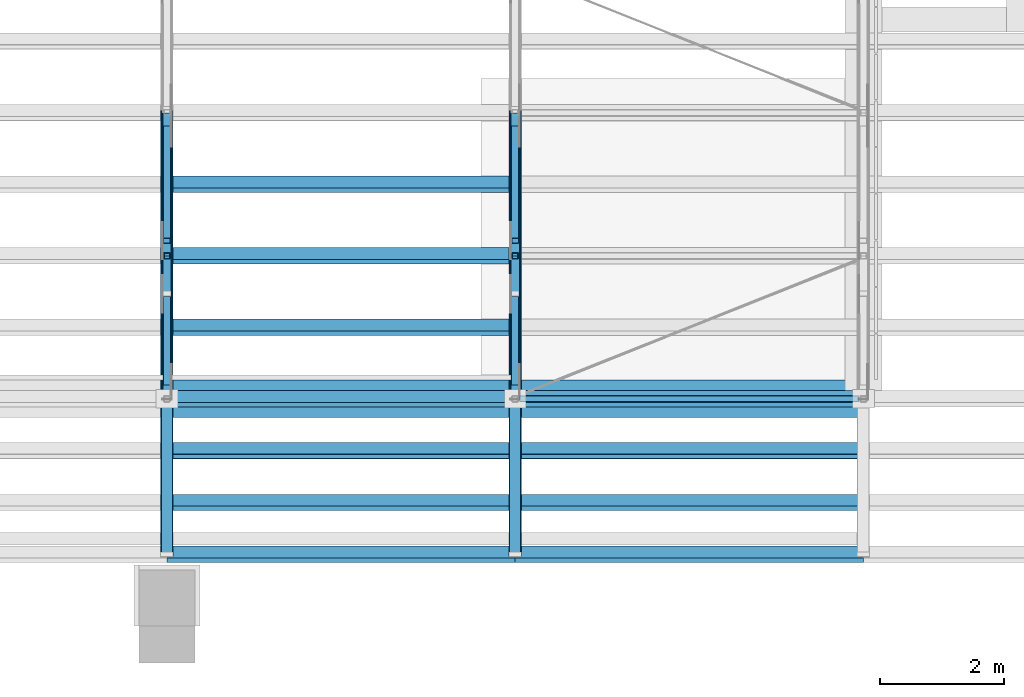
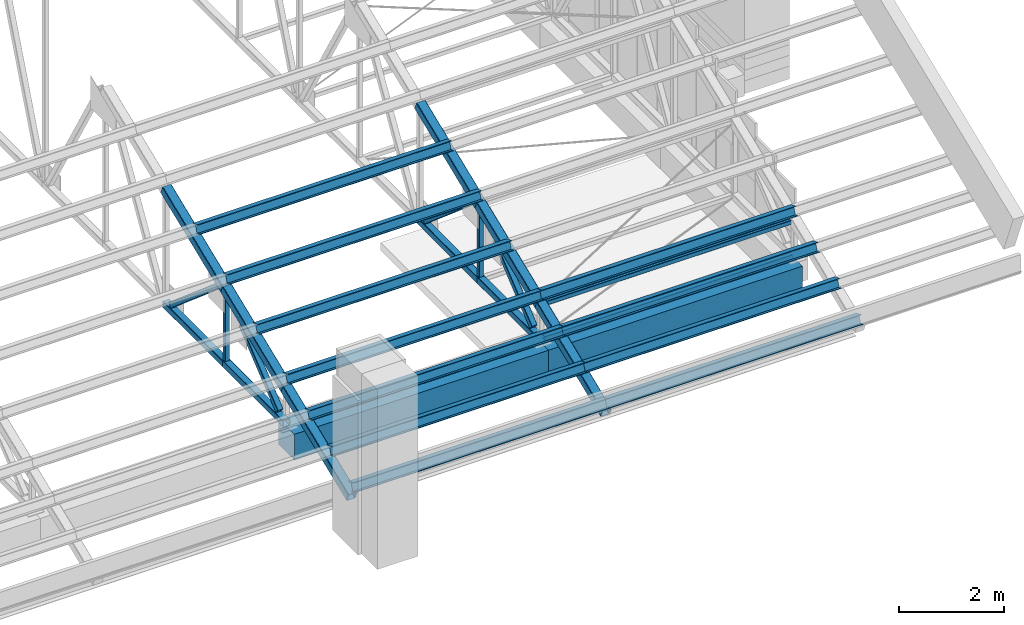
# One storey, part 21 of 71: 29 members, 2 beams.
"""IFC4 building model written with IfcOpenShell, lengths in metres."""

from ifc_helpers import new_model, si_unit, direction, frame, origin, origin_2d, place, context, subcontext, project, spatial, rectangle, hollow_rectangle, i_section, extrude, material, material_profile, profile_set, type_object, element, save


model = new_model("IFC4")

# Units and contexts
model_context = context("Model", 3, precision=1e-05, world=origin(), true_north=direction((0.0, 1.0)))
body_context = subcontext(model_context, "Body", "Model", "MODEL_VIEW")
ifc_project = project(units=[si_unit("LENGTHUNIT", "METRE"), si_unit("AREAUNIT", "SQUARE_METRE"), si_unit("VOLUMEUNIT", "CUBIC_METRE"), si_unit("PLANEANGLEUNIT", "RADIAN"), si_unit("MASSUNIT", "GRAM", prefix="KILO")], contexts=[model_context])

# Site, building, storey
site_placement = place(None, origin())
site = spatial("IfcSite", under=ifc_project, at=site_placement, CompositionType="ELEMENT")
building_placement = place(site_placement, origin())
building = spatial("IfcBuilding", under=site, at=building_placement, Name="Wasatch Bagh Community Centre", CompositionType="ELEMENT")
storey_placement = place(building_placement, frame((0.0, 0.0, 12.60009765625)))
storey = spatial("IfcBuildingStorey", under=building, at=storey_placement, Name="L03", CompositionType="ELEMENT", Elevation=12.60009765625)

# Members
ifc_material_1 = material(Name="ASTM A500 Grade C steel", Category="steel")
ifc_material_profile_1 = material_profile(ifc_material_1, hollow_rectangle(XDim=0.1015625, YDim=0.1015625, WallThickness=0.005859375, InnerFilletRadius=0.005859375, OuterFilletRadius=0.01171875, at=origin_2d()), Name="HSS4x4x1/4")
ifc_profile_set_1 = profile_set([ifc_material_profile_1], Name="ASTM A500 Grade C steel")
member_type_1 = type_object("IfcMemberType", Name="SH HSS4x4x1/4 post", PredefinedType="POST", material=ifc_profile_set_1)
for number, where, z_axis, x_axis, name in (
    (1, (134.60009765625, 40.5, 0.76220703125), (0.0, 0.0, 1.0), (1.0, 0.0, 0.0), "SH.SA5.PS02"),
    (2, (140.199951171875, 40.5, 0.76220703125), (0.0, 0.0, 1.0), (1.0, 0.0, 0.0), "SH.SA6.PS02"),
):
    element("IfcMember", number, at=place(storey_placement, frame(where, z_axis=z_axis, x_axis=x_axis)), inside=storey, type_object=member_type_1, Name=name, PredefinedType="POST", context=body_context, shape_type="SweptSolid", body=[
        extrude(hollow_rectangle(XDim=0.1015625, YDim=0.1015625, WallThickness=0.005859375, InnerFilletRadius=0.005859375, OuterFilletRadius=0.01171875, at=origin_2d()), origin(), (0.0, 0.0, 1.0), 1.504638671875),
    ])
ifc_material_profile_2 = material_profile(ifc_material_1, hollow_rectangle(XDim=0.1015625, YDim=0.1015625, WallThickness=0.005859375, InnerFilletRadius=0.005859375, OuterFilletRadius=0.01171875, at=origin_2d()), Name="HSS4x4x1/4")
ifc_profile_set_2 = profile_set([ifc_material_profile_2], Name="ASTM A500 Grade C steel")
member_type_2 = type_object("IfcMemberType", Name="SH HSS4x4x1/4 strut", PredefinedType="STRUT", material=ifc_profile_set_2)
member_1_placement = place(storey_placement, frame((140.29541015625, 38.199951171875, 1.500244140625), z_axis=(1.0, 0.0, 0.0), x_axis=(0.0, 1.0, 0.0)))
element("IfcMember", 3, at=member_1_placement, inside=storey, type_object=member_type_2, Name="SH.BR.eT.ST01W", PredefinedType="STRUT", context=body_context, shape_type="SweptSolid", body=[
    extrude(hollow_rectangle(XDim=0.1015625, YDim=0.1015625, WallThickness=0.005859375, InnerFilletRadius=0.005859375, OuterFilletRadius=0.01171875, at=origin_2d()), origin(), (0.0, 0.0, 1.0), 5.4091796875),
])
member_2_placement = place(storey_placement, frame((140.27001953125, 38.199951171875, 0.68603515625), z_axis=(1.0, 0.0, 0.0), x_axis=(0.0, 1.0, 0.0)))
element("IfcMember", 4, at=member_2_placement, inside=storey, type_object=member_type_2, Name="SH.BR.eB.ST01W", PredefinedType="STRUT", context=body_context, shape_type="SweptSolid", body=[
    extrude(hollow_rectangle(XDim=0.1015625, YDim=0.1015625, WallThickness=0.005859375, InnerFilletRadius=0.005859375, OuterFilletRadius=0.01171875, at=origin_2d()), origin(), (0.0, 0.0, 1.0), 5.4599609375),
])
ifc_material_profile_3 = material_profile(ifc_material_1, hollow_rectangle(XDim=0.126953125, YDim=0.126953125, WallThickness=0.00732421875, InnerFilletRadius=0.00732421875, OuterFilletRadius=0.0146484375, at=origin_2d()), Name="HSS5x5x5/16")
ifc_profile_set_3 = profile_set([ifc_material_profile_3], Name="ASTM A500 Grade C steel")
member_type_3 = type_object("IfcMemberType", Name="SH HSS5x5x5/16 brace", PredefinedType="BRACE", material=ifc_profile_set_3)
member_3_placement = place(storey_placement, frame((134.60009765625, 38.458740234375, 0.81201171875), z_axis=(0.0, 0.775829568588, 0.630942533441), x_axis=(-1.0, 0.0, 0.0)))
element("IfcMember", 5, at=member_3_placement, inside=storey, type_object=member_type_3, Name="SH.SA5.WB01", PredefinedType="BRACE", context=body_context, shape_type="SweptSolid", body=[
    extrude(hollow_rectangle(XDim=0.126953125, YDim=0.126953125, WallThickness=0.00732421875, InnerFilletRadius=0.00732421875, OuterFilletRadius=0.0146484375, at=origin_2d()), origin(), (0.0, 0.0, 1.0), 1.83837890625),
])
member_4_placement = place(storey_placement, frame((134.60009765625, 42.5498046875, 0.81103515625), z_axis=(0.0, -0.760719100191, 0.649081235751), x_axis=(1.0, 0.0, 0.0)))
element("IfcMember", 6, at=member_4_placement, inside=storey, type_object=member_type_3, Name="SH.SA5.WB02", PredefinedType="BRACE", context=body_context, shape_type="SweptSolid", body=[
    extrude(hollow_rectangle(XDim=0.126953125, YDim=0.126953125, WallThickness=0.00732421875, InnerFilletRadius=0.00732421875, OuterFilletRadius=0.0146484375, at=origin_2d()), origin(), (0.0, 0.0, 1.0), 2.377197265625),
])
member_5_placement = place(storey_placement, frame((140.199951171875, 38.458740234375, 0.81201171875), z_axis=(0.0, 0.775829568588, 0.630942533441), x_axis=(-1.0, 0.0, 0.0)))
element("IfcMember", 7, at=member_5_placement, inside=storey, type_object=member_type_3, Name="SH.SA6.WB01", PredefinedType="BRACE", context=body_context, shape_type="SweptSolid", body=[
    extrude(hollow_rectangle(XDim=0.126953125, YDim=0.126953125, WallThickness=0.00732421875, InnerFilletRadius=0.00732421875, OuterFilletRadius=0.0146484375, at=origin_2d()), origin(), (0.0, 0.0, 1.0), 1.83837890625),
])
member_6_placement = place(storey_placement, frame((140.199951171875, 42.5498046875, 0.81103515625), z_axis=(0.0, -0.760719100191, 0.649081235751), x_axis=(1.0, 0.0, 0.0)))
element("IfcMember", 8, at=member_6_placement, inside=storey, type_object=member_type_3, Name="SH.SA6.WB02", PredefinedType="BRACE", context=body_context, shape_type="SweptSolid", body=[
    extrude(hollow_rectangle(XDim=0.126953125, YDim=0.126953125, WallThickness=0.00732421875, InnerFilletRadius=0.00732421875, OuterFilletRadius=0.0146484375, at=origin_2d()), origin(), (0.0, 0.0, 1.0), 2.377197265625),
])
ifc_material_profile_4 = material_profile(ifc_material_1, hollow_rectangle(XDim=0.15234375, YDim=0.15234375, WallThickness=0.0087890625, InnerFilletRadius=0.0087890625, OuterFilletRadius=0.017822265625, at=origin_2d()), Name="HSS6x6x3/8")
ifc_profile_set_4 = profile_set([ifc_material_profile_4], Name="ASTM A500 Grade C steel")
member_type_4 = type_object("IfcMemberType", Name="SH HSS6x6x3/8 chord", PredefinedType="CHORD", material=ifc_profile_set_4)
for number, where, z_axis, x_axis, name in (
    (9, (134.60009765625, 38.199951171875, 0.68603515625), (0.0, 1.0, 0.0), (-1.0, 0.0, 0.0), "SH.SA5.BC01"),
    (10, (134.60009765625, 40.5, 0.68603515625), (0.0, 1.0, 0.0), (-1.0, 0.0, 0.0), "SH.SA5.BC02"),
    (11, (140.199951171875, 38.199951171875, 0.68603515625), (0.0, 1.0, 0.0), (-1.0, 0.0, 0.0), "SH.SA6.BC01"),
    (12, (140.199951171875, 40.5, 0.68603515625), (0.0, 1.0, 0.0), (-1.0, 0.0, 0.0), "SH.SA6.BC02"),
):
    element("IfcMember", number, at=place(storey_placement, frame(where, z_axis=z_axis, x_axis=x_axis)), inside=storey, type_object=member_type_4, Name=name, PredefinedType="CHORD", context=body_context, shape_type="SweptSolid", body=[
        extrude(hollow_rectangle(XDim=0.15234375, YDim=0.15234375, WallThickness=0.0087890625, InnerFilletRadius=0.0087890625, OuterFilletRadius=0.017822265625, at=origin_2d()), origin(), (0.0, 0.0, 1.0), 2.300048828125),
    ])
ifc_material_profile_5 = material_profile(ifc_material_1, hollow_rectangle(XDim=0.203125, YDim=0.203125, WallThickness=0.01171875, InnerFilletRadius=0.01171875, OuterFilletRadius=0.023681640625, at=origin_2d()), Name="HSS8x8x1/2")
ifc_profile_set_5 = profile_set([ifc_material_profile_5], Name="ASTM A500 Grade C steel")
member_type_5 = type_object("IfcMemberType", Name="SH HSS8x8x1/2 chord", PredefinedType="CHORD", material=ifc_profile_set_5)
member_7_placement = place(storey_placement, frame((134.60009765625, 35.699951171875, 0.490234375), z_axis=(0.0, 0.927165625561, 0.374651708629), x_axis=(-1.0, 0.0, 0.0)))
element("IfcMember", 13, at=member_7_placement, inside=storey, type_object=member_type_5, Name="SH.SA5.TC01", PredefinedType="CHORD", context=body_context, shape_type="SweptSolid", body=[
    extrude(hollow_rectangle(XDim=0.203125, YDim=0.203125, WallThickness=0.01171875, InnerFilletRadius=0.01171875, OuterFilletRadius=0.023681640625, at=origin_2d()), origin(), (0.0, 0.0, 1.0), 2.69580078125),
])
for number, where, z_axis, x_axis, name in (
    (14, (134.60009765625, 38.200439453125, 1.50048828125), (0.0, 0.927174106992, 0.374630718605), (-1.0, 0.0, 0.0), "SH.SA5.TC02"),
    (15, (134.60009765625, 40.50048828125, 2.4296875), (0.0, 0.927174106992, 0.374630718605), (-1.0, 0.0, 0.0), "SH.SA5.TC03"),
):
    element("IfcMember", number, at=place(storey_placement, frame(where, z_axis=z_axis, x_axis=x_axis)), inside=storey, type_object=member_type_5, Name=name, PredefinedType="CHORD", context=body_context, shape_type="SweptSolid", body=[
        extrude(hollow_rectangle(XDim=0.203125, YDim=0.203125, WallThickness=0.01171875, InnerFilletRadius=0.01171875, OuterFilletRadius=0.023681640625, at=origin_2d()), origin(), (0.0, 0.0, 1.0), 2.479736328125),
    ])
member_8_placement = place(storey_placement, frame((140.199951171875, 35.699951171875, 0.490234375), z_axis=(0.0, 0.927165625561, 0.374651708629), x_axis=(-1.0, 0.0, 0.0)))
element("IfcMember", 16, at=member_8_placement, inside=storey, type_object=member_type_5, Name="SH.SA6.TC01", PredefinedType="CHORD", context=body_context, shape_type="SweptSolid", body=[
    extrude(hollow_rectangle(XDim=0.203125, YDim=0.203125, WallThickness=0.01171875, InnerFilletRadius=0.01171875, OuterFilletRadius=0.023681640625, at=origin_2d()), origin(), (0.0, 0.0, 1.0), 2.69580078125),
])
for number, where, z_axis, x_axis, name in (
    (17, (140.199951171875, 38.200439453125, 1.50048828125), (0.0, 0.927174106992, 0.374630718605), (-1.0, 0.0, 0.0), "SH.SA6.TC02"),
    (18, (140.199951171875, 40.50048828125, 2.4296875), (0.0, 0.927174106992, 0.374630718605), (-1.0, 0.0, 0.0), "SH.SA6.TC03"),
):
    element("IfcMember", number, at=place(storey_placement, frame(where, z_axis=z_axis, x_axis=x_axis)), inside=storey, type_object=member_type_5, Name=name, PredefinedType="CHORD", context=body_context, shape_type="SweptSolid", body=[
        extrude(hollow_rectangle(XDim=0.203125, YDim=0.203125, WallThickness=0.01171875, InnerFilletRadius=0.01171875, OuterFilletRadius=0.023681640625, at=origin_2d()), origin(), (0.0, 0.0, 1.0), 2.479736328125),
    ])

# Beams
ifc_material_2 = material(Name="Concrete C40", Category="concrete")
ifc_material_profile_6 = material_profile(ifc_material_2, rectangle(XDim=0.60009765625, YDim=0.60009765625, at=origin_2d()), Name="RC 600x600")
ifc_profile_set_6 = profile_set([ifc_material_profile_6], Name="Concrete C40")
beam_type = type_object("IfcBeamType", Name="SH RC 600x600 beam", PredefinedType="BEAM", material=ifc_profile_set_6)
beam_1_placement = place(storey_placement, frame((134.60009765625, 38.199951171875, 0.2998046875), z_axis=(1.0, 0.0, 0.0), x_axis=(0.0, 1.0, 0.0)))
element("IfcBeam", 19, at=beam_1_placement, inside=storey, type_object=beam_type, Name="SH.beam.L03.ring05", PredefinedType="BEAM", context=body_context, shape_type="SweptSolid", body=[
    extrude(rectangle(XDim=0.60009765625, YDim=0.60009765625, at=origin_2d()), origin(), (0.0, 0.0, 1.0), 5.599853515625),
])
beam_2_placement = place(storey_placement, frame((140.199951171875, 38.199951171875, 0.2998046875), z_axis=(1.0, 0.0, 0.0), x_axis=(0.0, 1.0, 0.0)))
element("IfcBeam", 20, at=beam_2_placement, inside=storey, type_object=beam_type, Name="SH.beam.L03.ring06", PredefinedType="BEAM", context=body_context, shape_type="SweptSolid", body=[
    extrude(rectangle(XDim=0.60009765625, YDim=0.60009765625, at=origin_2d()), origin(), (0.0, 0.0, 1.0), 5.60009765625),
])

# Members
ifc_material_3 = material(Name="ASTM A992 Grade 50 steel", Category="steel")
ifc_material_profile_7 = material_profile(ifc_material_3, i_section(OverallWidth=0.203125, OverallDepth=0.203125, WebThickness=0.00732421875, FlangeThickness=0.010986328125, at=origin_2d()), Name="W8x31")
ifc_profile_set_7 = profile_set([ifc_material_profile_7], Name="ASTM A992 Grade 50 steel")
member_type_6 = type_object("IfcMemberType", Name="SH W8x31 purlin", PredefinedType="PURLIN", material=ifc_profile_set_7)
for number, where, z_axis, x_axis, name in (
    (21, (134.60009765625, 35.699951171875, 0.70947265625), (1.0, 0.0, 0.0), (0.0, 0.927183854567, -0.374606593416), "SH.PUR.b5.PU01"),
    (22, (134.60009765625, 36.533447265625, 1.046142578125), (1.0, 0.0, 0.0), (0.0, 0.927183854567, -0.374606593416), "SH.PUR.b5.PU02"),
    (23, (134.60009765625, 37.36669921875, 1.3828125), (1.0, 0.0, 0.0), (0.0, 0.927183854567, -0.374606593416), "SH.PUR.b5.PU03"),
    (24, (134.60009765625, 38.199951171875, 1.719482421875), (1.0, 0.0, 0.0), (0.0, 0.927183854567, -0.374606593416), "SH.PUR.b5.PU04"),
    (25, (134.60009765625, 39.35009765625, 2.18408203125), (1.0, 0.0, 0.0), (0.0, 0.927183854567, -0.374606593416), "SH.PUR.b5.PU05"),
    (26, (134.60009765625, 40.5, 2.648681640625), (1.0, 0.0, 0.0), (0.0, 0.927183854567, -0.374606593416), "SH.PUR.b5.PU06"),
    (27, (134.60009765625, 41.64990234375, 3.11328125), (1.0, 0.0, 0.0), (0.0, 0.927183854567, -0.374606593416), "SH.PUR.b5.PU07"),
):
    element("IfcMember", number, at=place(storey_placement, frame(where, z_axis=z_axis, x_axis=x_axis)), inside=storey, type_object=member_type_6, Name=name, PredefinedType="PURLIN", context=body_context, shape_type="SweptSolid", body=[
        extrude(i_section(OverallWidth=0.203125, OverallDepth=0.203125, WebThickness=0.00732421875, FlangeThickness=0.010986328125, at=origin_2d()), origin(), (0.0, 0.0, 1.0), 5.599853515625),
    ])
for number, where, z_axis, x_axis, name in (
    (28, (140.199951171875, 35.699951171875, 0.70947265625), (1.0, 0.0, 0.0), (0.0, 0.927183854567, -0.374606593416), "SH.PUR.b6.PU01"),
    (29, (140.199951171875, 36.533447265625, 1.046142578125), (1.0, 0.0, 0.0), (0.0, 0.927183854567, -0.374606593416), "SH.PUR.b6.PU02"),
    (30, (140.199951171875, 37.36669921875, 1.3828125), (1.0, 0.0, 0.0), (0.0, 0.927183854567, -0.374606593416), "SH.PUR.b6.PU03"),
    (31, (140.199951171875, 38.199951171875, 1.719482421875), (1.0, 0.0, 0.0), (0.0, 0.927183854567, -0.374606593416), "SH.PUR.b6.PU04"),
):
    element("IfcMember", number, at=place(storey_placement, frame(where, z_axis=z_axis, x_axis=x_axis)), inside=storey, type_object=member_type_6, Name=name, PredefinedType="PURLIN", context=body_context, shape_type="SweptSolid", body=[
        extrude(i_section(OverallWidth=0.203125, OverallDepth=0.203125, WebThickness=0.00732421875, FlangeThickness=0.010986328125, at=origin_2d()), origin(), (0.0, 0.0, 1.0), 5.60009765625),
    ])

save(model, "model.ifc")
